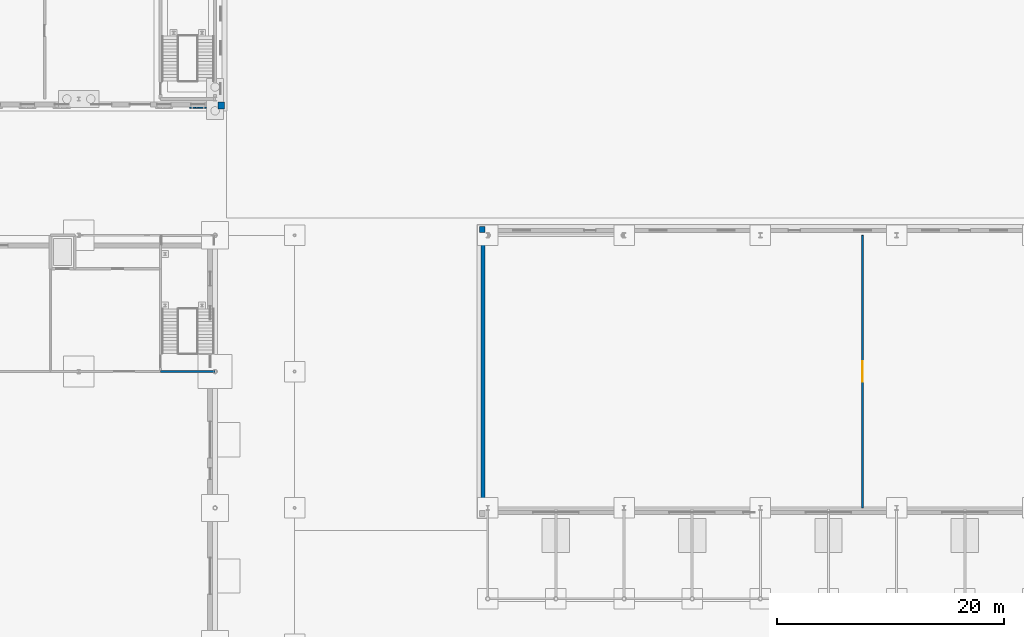
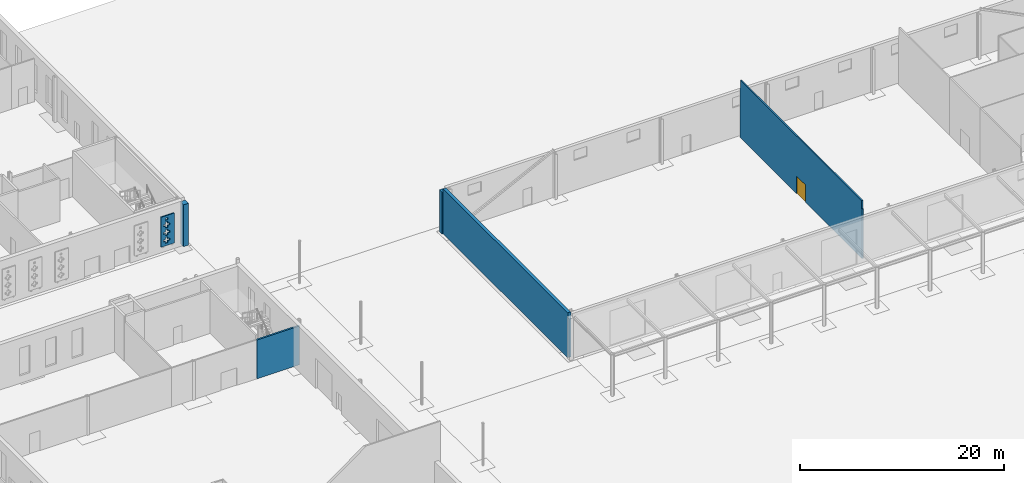
# One storey, part 83 of 132: 6 walls, 1 door, 17 openings.
"""IFC4 building model written with IfcOpenShell, lengths in metres."""

from ifc_helpers import new_model, si_unit, direction, frame, frame_2d, origin, place, context, subcontext, project, spatial, polyline, rectangle, outline, extrude, material, layer, layer_set, type_object, element, fill, save


model = new_model("IFC4")

# Units and contexts
model_context = context("Model", 3, precision=1e-05, world=origin(), true_north=direction((0.0, 1.0)))
body_context = subcontext(model_context, "Body", "Model", "MODEL_VIEW")
ifc_project = project(units=[si_unit("LENGTHUNIT", "METRE"), si_unit("AREAUNIT", "SQUARE_METRE"), si_unit("VOLUMEUNIT", "CUBIC_METRE"), si_unit("PLANEANGLEUNIT", "RADIAN"), si_unit("MASSUNIT", "GRAM", prefix="KILO")], contexts=[model_context])

# Site, building, storey
site_placement = place(None, origin())
site = spatial("IfcSite", under=ifc_project, at=site_placement, CompositionType="ELEMENT")
building_placement = place(site_placement, origin())
building = spatial("IfcBuilding", under=site, at=building_placement, Name="Ravi Spectrum Wholesale Market", CompositionType="ELEMENT")
storey_placement = place(building_placement, origin())
storey = spatial("IfcBuildingStorey", under=building, at=storey_placement, Name="L00", CompositionType="ELEMENT", Elevation=0.0)

# Wall, opening, door
ifc_material_1 = material(Name="Concrete blockwork", Category="masonry")
ifc_layer_1 = layer(ifc_material_1, 0.14990234375)
ifc_layer_set_1 = layer_set([ifc_layer_1], Name="Concrete blockwork")
wall_type_1 = type_object("IfcWallType", Name="Blockwork partition 150", PredefinedType="PARTITIONING", material=ifc_layer_set_1)
wall_1_placement = place(storey_placement, frame((255.0, 162.0, 0.0), z_axis=(0.0, 0.0, 1.0), x_axis=(0.0, 1.0, 0.0)))
wall_1 = element("IfcWall", 1, at=wall_1_placement, inside=storey, type_object=wall_type_1, Name="GS-WL-L00-018", PredefinedType="PARTITIONING", context=body_context, shape_type="SweptSolid", body=[
    extrude(outline(polyline([(0.0, 0.0), (24.0, 0.0), (24.0, 5.927001953125), (23.9150390625, 5.927001953125), (23.909912109375, 6.89990234375), (0.090087890625, 6.89990234375), (0.0849609375, 5.927001953125), (0.0, 5.927001953125), (0.0, 0.0)])), frame((0.0, 0.074951171875, 0.0), z_axis=(0.0, -1.0, 0.0), x_axis=(1.0, 0.0, 0.0)), (0.0, 0.0, 1.0), 0.14990234375),
])
opening_1_placement = place(wall_1_placement, frame((11.10009765625, 0.0, 0.0)))
opening_1 = element("IfcOpeningElement", 2, at=opening_1_placement, cuts=wall_1, Name="Opening D721", PredefinedType="OPENING", context=body_context, shape_type="SweptSolid", body=[
    extrude(rectangle(XDim=1.800048828125, YDim=2.10009765625, at=frame_2d((0.89990234375, 1.050048828125))), frame((0.0, 0.0849609375, 0.0), z_axis=(0.0, -1.0, 0.0), x_axis=(1.0, 0.0, 0.0)), (0.0, 0.0, 1.0), 0.169921875),
])
ifc_material_2 = material(Name="Steel door", Category="steel")
door_type = type_object("IfcDoorType", Name="Double leaf door 1800 x 2100", OperationType="DOUBLE_DOOR_SINGLE_SWING", PredefinedType="DOOR", material=ifc_material_2)
door_placement = place(opening_1_placement, origin())
door = element("IfcDoor", 3, at=door_placement, inside=storey, type_object=door_type, Name="Door D721", OperationType="DOUBLE_DOOR_SINGLE_SWING", OverallHeight=2.10009765625, OverallWidth=1.800048828125, PredefinedType="DOOR", context=body_context, shape_type="SweptSolid", body=[
    extrude(rectangle(XDim=1.800048828125, YDim=2.10009765625, at=frame_2d((0.89990234375, 1.050048828125))), frame((0.0, 0.02490234375, 0.0), z_axis=(0.0, -1.0, 0.0), x_axis=(1.0, 0.0, 0.0)), (0.0, 0.0, 1.0), 0.050048828125),
])
fill(opening_1, door)

# Walls
ifc_material_3 = material(Name="Concrete blockwork", Category="masonry")
ifc_layer_2 = layer(ifc_material_3, 0.199951171875)
ifc_layer_set_2 = layer_set([ifc_layer_2], Name="Concrete blockwork")
wall_type_2 = type_object("IfcWallType", Name="Blockwork partition 200 fire", PredefinedType="PARTITIONING", material=ifc_layer_set_2)
wall_2_placement = place(storey_placement, frame((193.199951171875, 174.0, 0.0), z_axis=(0.0, 0.0, 1.0), x_axis=(1.0, 0.0, 0.0)))
element("IfcWall", 4, at=wall_2_placement, inside=storey, type_object=wall_type_2, Name="H3-WL-L00-014", PredefinedType="PARTITIONING", context=body_context, shape_type="SweptSolid", body=[
    extrude(rectangle(XDim=4.800048828125, YDim=0.199951171875, at=frame_2d((2.39990234375, 0.0))), origin(), (0.0, 0.0, 1.0), 4.64990234375),
])
ifc_material_4 = material(Name="Clinker brickwork", Category="masonry")
ifc_layer_3 = layer(ifc_material_4, 0.340087890625)
ifc_layer_set_3 = layer_set([ifc_layer_3], Name="Clinker brickwork")
wall_type_3 = type_object("IfcWallType", Name="Brick 340 clinker", PredefinedType="SOLIDWALL", material=ifc_layer_set_3)
wall_3_placement = place(storey_placement, frame((221.580078125, 186.25, 0.0), z_axis=(0.0, 0.0, 1.0), x_axis=(0.0, -1.0, 0.0)))
element("IfcWall", 5, at=wall_3_placement, inside=storey, type_object=wall_type_3, Name="GS-WL-L00-004", PredefinedType="SOLIDWALL", context=body_context, shape_type="SweptSolid", body=[
    extrude(rectangle(XDim=24.5, YDim=0.340087890625, at=frame_2d((12.25, 0.0))), origin(), (0.0, 0.0, 1.0), 5.39990234375),
])
ifc_material_5 = material(Name="Clinker brickwork", Category="masonry")
ifc_layer_4 = layer(ifc_material_5, 0.52490234375)
ifc_layer_set_4 = layer_set([ifc_layer_4], Name="Clinker brickwork")
wall_type_4 = type_object("IfcWallType", Name="Brick pier 525", PredefinedType="SOLIDWALL", material=ifc_layer_set_4)
wall_4_placement = place(storey_placement, frame((221.75, 186.512451171875, 0.0), z_axis=(0.0, 0.0, 1.0), x_axis=(-1.0, 0.0, 0.0)))
element("IfcWall", 6, at=wall_4_placement, inside=storey, type_object=wall_type_4, Name="GS-WL-L00-008", PredefinedType="SOLIDWALL", context=body_context, shape_type="SweptSolid", body=[
    extrude(rectangle(XDim=0.455078125, YDim=0.52490234375, at=frame_2d((0.2275390625, 0.0))), origin(), (0.0, 0.0, 1.0), 5.010009765625),
])
ifc_material_6 = material(Name="Clinker brickwork", Category="masonry")
ifc_layer_5 = layer(ifc_material_6, 0.64501953125)
ifc_layer_set_5 = layer_set([ifc_layer_5], Name="Clinker brickwork")
wall_type_5 = type_object("IfcWallType", Name="Brick pier 645", PredefinedType="SOLIDWALL", material=ifc_layer_set_5)
wall_5_placement = place(storey_placement, frame((198.25, 197.427490234375, 0.0), z_axis=(0.0, 0.0, 1.0), x_axis=(1.0, 0.0, 0.0)))
element("IfcWall", 7, at=wall_5_placement, inside=storey, type_object=wall_type_5, Name="AU-WL-L00-006", PredefinedType="SOLIDWALL", context=body_context, shape_type="SweptSolid", body=[
    extrude(rectangle(XDim=0.574951171875, YDim=0.64501953125, at=frame_2d((0.28759765625, 0.0))), origin(), (0.0, 0.0, 1.0), 5.010009765625),
])

# Wall, openings
ifc_material_7 = material(Name="Facing brickwork", Category="masonry")
ifc_layer_6 = layer(ifc_material_7, 0.114990234375)
ifc_layer_set_6 = layer_set([ifc_layer_6], Name="Facing brickwork")
wall_type_6 = type_object("IfcWallType", Name="Perforated brick screen 115", PredefinedType="SOLIDWALL", material=ifc_layer_set_6)
wall_6_placement = place(storey_placement, frame((195.75, 197.232421875, 0.75), z_axis=(0.0, 0.0, 1.0), x_axis=(1.0, 0.0, 0.0)))
wall_6 = element("IfcWall", 8, at=wall_6_placement, inside=storey, type_object=wall_type_6, Name="AU-WL-L00-019", PredefinedType="SOLIDWALL", context=body_context, shape_type="SweptSolid", body=[
    extrude(rectangle(XDim=1.5, YDim=0.114990234375, at=frame_2d((0.75, 0.0))), origin(), (0.0, 0.0, 1.0), 3.60009765625),
])
opening_2_placement = place(wall_6_placement, frame((0.52001953125, 0.0, 0.304931640625)))
element("IfcOpeningElement", 9, at=opening_2_placement, cuts=wall_6, Name="Opening AU-OP-L00-145", PredefinedType="OPENING", context=body_context, shape_type="SweptSolid", body=[
    extrude(rectangle(XDim=0.22998046875, YDim=0.22998046875, at=frame_2d((0.114990234375, 0.114990234375))), frame((0.0, 0.0673828125, 0.0), z_axis=(0.0, -1.0, 0.0), x_axis=(1.0, 0.0, 0.0)), (0.0, 0.0, 1.0), 0.135009765625),
])
opening_3_placement = place(wall_6_placement, frame((0.2900390625, 0.0, 0.534912109375)))
element("IfcOpeningElement", 10, at=opening_3_placement, cuts=wall_6, Name="Opening AU-OP-L00-146", PredefinedType="OPENING", context=body_context, shape_type="SweptSolid", body=[
    extrude(rectangle(XDim=0.22998046875, YDim=0.22998046875, at=frame_2d((0.114990234375, 0.114990234375))), frame((0.0, 0.0673828125, 0.0), z_axis=(0.0, -1.0, 0.0), x_axis=(1.0, 0.0, 0.0)), (0.0, 0.0, 1.0), 0.135009765625),
])
opening_4_placement = place(wall_6_placement, frame((0.52001953125, 0.0, 0.534912109375)))
element("IfcOpeningElement", 11, at=opening_4_placement, cuts=wall_6, Name="Opening AU-OP-L00-147", PredefinedType="OPENING", context=body_context, shape_type="SweptSolid", body=[
    extrude(rectangle(XDim=0.22998046875, YDim=0.22998046875, at=frame_2d((0.114990234375, 0.114990234375))), frame((0.0, 0.0673828125, 0.0), z_axis=(0.0, -1.0, 0.0), x_axis=(1.0, 0.0, 0.0)), (0.0, 0.0, 1.0), 0.135009765625),
])
opening_5_placement = place(wall_6_placement, frame((0.75, 0.0, 0.534912109375)))
element("IfcOpeningElement", 12, at=opening_5_placement, cuts=wall_6, Name="Opening AU-OP-L00-148", PredefinedType="OPENING", context=body_context, shape_type="SweptSolid", body=[
    extrude(rectangle(XDim=0.22998046875, YDim=0.22998046875, at=frame_2d((0.114990234375, 0.114990234375))), frame((0.0, 0.0673828125, 0.0), z_axis=(0.0, -1.0, 0.0), x_axis=(1.0, 0.0, 0.0)), (0.0, 0.0, 1.0), 0.135009765625),
])
opening_6_placement = place(wall_6_placement, frame((0.52001953125, 0.0, 0.764892578125)))
element("IfcOpeningElement", 13, at=opening_6_placement, cuts=wall_6, Name="Opening AU-OP-L00-149", PredefinedType="OPENING", context=body_context, shape_type="SweptSolid", body=[
    extrude(rectangle(XDim=0.22998046875, YDim=0.22998046875, at=frame_2d((0.114990234375, 0.114990234375))), frame((0.0, 0.0673828125, 0.0), z_axis=(0.0, -1.0, 0.0), x_axis=(1.0, 0.0, 0.0)), (0.0, 0.0, 1.0), 0.135009765625),
])
opening_7_placement = place(wall_6_placement, frame((0.52001953125, 0.0, 1.22509765625)))
element("IfcOpeningElement", 14, at=opening_7_placement, cuts=wall_6, Name="Opening AU-OP-L00-150", PredefinedType="OPENING", context=body_context, shape_type="SweptSolid", body=[
    extrude(rectangle(XDim=0.22998046875, YDim=0.22998046875, at=frame_2d((0.114990234375, 0.114990234375))), frame((0.0, 0.0673828125, 0.0), z_axis=(0.0, -1.0, 0.0), x_axis=(1.0, 0.0, 0.0)), (0.0, 0.0, 1.0), 0.135009765625),
])
opening_8_placement = place(wall_6_placement, frame((0.2900390625, 0.0, 1.455078125)))
element("IfcOpeningElement", 15, at=opening_8_placement, cuts=wall_6, Name="Opening AU-OP-L00-151", PredefinedType="OPENING", context=body_context, shape_type="SweptSolid", body=[
    extrude(rectangle(XDim=0.22998046875, YDim=0.22998046875, at=frame_2d((0.114990234375, 0.114990234375))), frame((0.0, 0.0673828125, 0.0), z_axis=(0.0, -1.0, 0.0), x_axis=(1.0, 0.0, 0.0)), (0.0, 0.0, 1.0), 0.135009765625),
])
opening_9_placement = place(wall_6_placement, frame((0.52001953125, 0.0, 1.455078125)))
element("IfcOpeningElement", 16, at=opening_9_placement, cuts=wall_6, Name="Opening AU-OP-L00-152", PredefinedType="OPENING", context=body_context, shape_type="SweptSolid", body=[
    extrude(rectangle(XDim=0.22998046875, YDim=0.22998046875, at=frame_2d((0.114990234375, 0.114990234375))), frame((0.0, 0.0673828125, 0.0), z_axis=(0.0, -1.0, 0.0), x_axis=(1.0, 0.0, 0.0)), (0.0, 0.0, 1.0), 0.135009765625),
])
opening_10_placement = place(wall_6_placement, frame((0.75, 0.0, 1.455078125)))
element("IfcOpeningElement", 17, at=opening_10_placement, cuts=wall_6, Name="Opening AU-OP-L00-153", PredefinedType="OPENING", context=body_context, shape_type="SweptSolid", body=[
    extrude(rectangle(XDim=0.22998046875, YDim=0.22998046875, at=frame_2d((0.114990234375, 0.114990234375))), frame((0.0, 0.0673828125, 0.0), z_axis=(0.0, -1.0, 0.0), x_axis=(1.0, 0.0, 0.0)), (0.0, 0.0, 1.0), 0.135009765625),
])
opening_11_placement = place(wall_6_placement, frame((0.52001953125, 0.0, 1.68505859375)))
element("IfcOpeningElement", 18, at=opening_11_placement, cuts=wall_6, Name="Opening AU-OP-L00-154", PredefinedType="OPENING", context=body_context, shape_type="SweptSolid", body=[
    extrude(rectangle(XDim=0.22998046875, YDim=0.22998046875, at=frame_2d((0.114990234375, 0.114990234375))), frame((0.0, 0.0673828125, 0.0), z_axis=(0.0, -1.0, 0.0), x_axis=(1.0, 0.0, 0.0)), (0.0, 0.0, 1.0), 0.135009765625),
])
opening_12_placement = place(wall_6_placement, frame((0.52001953125, 0.0, 2.14501953125)))
element("IfcOpeningElement", 19, at=opening_12_placement, cuts=wall_6, Name="Opening AU-OP-L00-155", PredefinedType="OPENING", context=body_context, shape_type="SweptSolid", body=[
    extrude(rectangle(XDim=0.22998046875, YDim=0.22998046875, at=frame_2d((0.114990234375, 0.114990234375))), frame((0.0, 0.0673828125, 0.0), z_axis=(0.0, -1.0, 0.0), x_axis=(1.0, 0.0, 0.0)), (0.0, 0.0, 1.0), 0.135009765625),
])
opening_13_placement = place(wall_6_placement, frame((0.2900390625, 0.0, 2.375)))
element("IfcOpeningElement", 20, at=opening_13_placement, cuts=wall_6, Name="Opening AU-OP-L00-156", PredefinedType="OPENING", context=body_context, shape_type="SweptSolid", body=[
    extrude(rectangle(XDim=0.22998046875, YDim=0.22998046875, at=frame_2d((0.114990234375, 0.114990234375))), frame((0.0, 0.0673828125, 0.0), z_axis=(0.0, -1.0, 0.0), x_axis=(1.0, 0.0, 0.0)), (0.0, 0.0, 1.0), 0.135009765625),
])
opening_14_placement = place(wall_6_placement, frame((0.52001953125, 0.0, 2.375)))
element("IfcOpeningElement", 21, at=opening_14_placement, cuts=wall_6, Name="Opening AU-OP-L00-157", PredefinedType="OPENING", context=body_context, shape_type="SweptSolid", body=[
    extrude(rectangle(XDim=0.22998046875, YDim=0.22998046875, at=frame_2d((0.114990234375, 0.114990234375))), frame((0.0, 0.0673828125, 0.0), z_axis=(0.0, -1.0, 0.0), x_axis=(1.0, 0.0, 0.0)), (0.0, 0.0, 1.0), 0.135009765625),
])
opening_15_placement = place(wall_6_placement, frame((0.75, 0.0, 2.375)))
element("IfcOpeningElement", 22, at=opening_15_placement, cuts=wall_6, Name="Opening AU-OP-L00-158", PredefinedType="OPENING", context=body_context, shape_type="SweptSolid", body=[
    extrude(rectangle(XDim=0.22998046875, YDim=0.22998046875, at=frame_2d((0.114990234375, 0.114990234375))), frame((0.0, 0.0673828125, 0.0), z_axis=(0.0, -1.0, 0.0), x_axis=(1.0, 0.0, 0.0)), (0.0, 0.0, 1.0), 0.135009765625),
])
opening_16_placement = place(wall_6_placement, frame((0.52001953125, 0.0, 2.60498046875)))
element("IfcOpeningElement", 23, at=opening_16_placement, cuts=wall_6, Name="Opening AU-OP-L00-159", PredefinedType="OPENING", context=body_context, shape_type="SweptSolid", body=[
    extrude(rectangle(XDim=0.22998046875, YDim=0.22998046875, at=frame_2d((0.114990234375, 0.114990234375))), frame((0.0, 0.0673828125, 0.0), z_axis=(0.0, -1.0, 0.0), x_axis=(1.0, 0.0, 0.0)), (0.0, 0.0, 1.0), 0.135009765625),
])
opening_17_placement = place(wall_6_placement, frame((0.52001953125, 0.0, 3.06494140625)))
element("IfcOpeningElement", 24, at=opening_17_placement, cuts=wall_6, Name="Opening AU-OP-L00-160", PredefinedType="OPENING", context=body_context, shape_type="SweptSolid", body=[
    extrude(rectangle(XDim=0.22998046875, YDim=0.22998046875, at=frame_2d((0.114990234375, 0.114990234375))), frame((0.0, 0.0673828125, 0.0), z_axis=(0.0, -1.0, 0.0), x_axis=(1.0, 0.0, 0.0)), (0.0, 0.0, 1.0), 0.135009765625),
])

save(model, "model.ifc")
